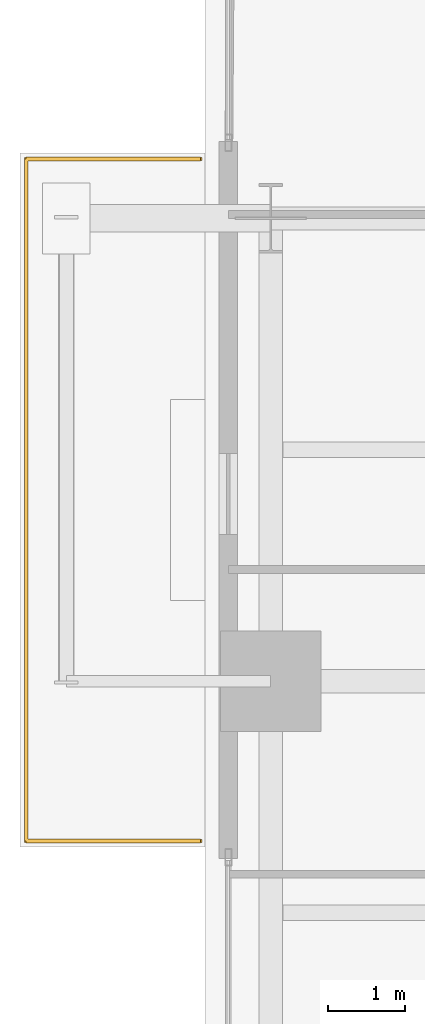
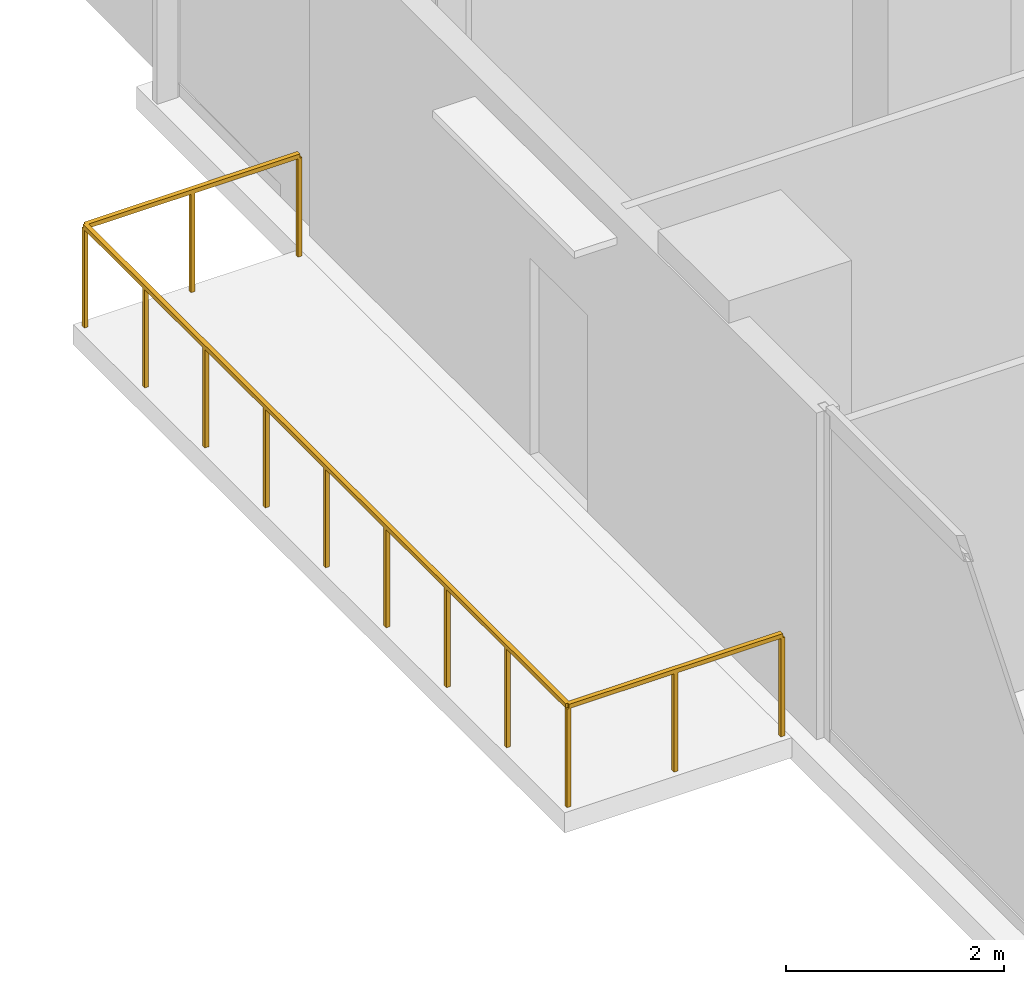
# One storey, part 27 of 27: 1 railing.
"""IFC4 building model written with IfcOpenShell, lengths in metres."""

import ifcopenshell
import ifcopenshell.guid

model = None  # the IFC model being written
_history = None  # IfcOwnerHistory: only IFC2X3 demands one
_inside = {}  # id of a spatial element -> (the spatial element, [elements in it])
_under = {}  # id of a project, library or spatial element -> (it, [spatial elements below it])
_declared = {}  # id of a project -> (the project, [libraries it declares])
_typed = {}  # id of a type object -> (the type object, [elements of that type])
_made_of = {}  # id of a material, layer set ... -> (it, [elements and type objects made of it])


def new_model(schema):
    """Start an empty IFC model of exactly this schema.

    Asked for "IFC4X3", IfcOpenShell would pick the latest addendum, in which some entities
    have other attributes; the version numbers below select the first issue.
    IFC2X3 requires an IfcOwnerHistory on every rooted entity: one is made here for all.
    """
    global model, _history
    if schema == "IFC4X3":
        model = ifcopenshell.file(schema_version=(4, 3, 0, 0))
    else:
        model = ifcopenshell.file(schema=schema)
    _inside.clear()
    _under.clear()
    _declared.clear()
    _typed.clear()
    _made_of.clear()
    _history = None
    if model.schema == "IFC2X3":
        org = make("IfcOrganization", Name="unknown")
        user = make(
            "IfcPersonAndOrganization",
            ThePerson=make("IfcPerson", FamilyName="unknown"),
            TheOrganization=org,
        )
        app = make(
            "IfcApplication",
            ApplicationDeveloper=org,
            Version="unknown",
            ApplicationFullName="unknown",
            ApplicationIdentifier="unknown",
        )
        _history = make(
            "IfcOwnerHistory",
            OwningUser=user,
            OwningApplication=app,
            ChangeAction="ADDED",
            CreationDate=0,
        )
    return model


def make(cls, **values):
    """One entity of the class cls with the attributes given. An attribute that is None is left unset."""
    return model.create_entity(
        cls, **{name: value for name, value in values.items() if value is not None}
    )


def rooted(cls, **values):
    """An entity with a GlobalId (a new one), such as an element, a storey or a relation."""
    return make(cls, GlobalId=ifcopenshell.guid.new(), OwnerHistory=_history, **values)


def si_unit(unit_type, name, prefix=None):
    """IfcSIUnit, for example si_unit("LENGTHUNIT", "METRE", prefix="MILLI")."""
    return make("IfcSIUnit", UnitType=unit_type, Prefix=prefix, Name=name)


def assignment(units):
    """IfcUnitAssignment: the units of a project."""
    return None if units is None else make("IfcUnitAssignment", Units=units)


def point(xyz):
    """IfcCartesianPoint."""
    return None if xyz is None else make("IfcCartesianPoint", Coordinates=xyz)


def direction(xyz):
    """IfcDirection."""
    return None if xyz is None else make("IfcDirection", DirectionRatios=xyz)


def frame(location, z_axis=None, x_axis=None):
    """IfcAxis2Placement3D, a coordinate frame: its origin and axes. An axis left out is left unset."""
    return make(
        "IfcAxis2Placement3D",
        Location=point(location),
        Axis=direction(z_axis),
        RefDirection=direction(x_axis),
    )


def frame_2d(location, x_axis=None):
    """IfcAxis2Placement2D, a coordinate frame in the plane: its origin and x axis."""
    return make(
        "IfcAxis2Placement2D", Location=point(location), RefDirection=direction(x_axis)
    )


def origin():
    """The frame at (0, 0, 0) with its axes left unset."""
    return frame((0.0, 0.0, 0.0))


def origin_2d():
    """The frame at (0, 0) in the plane with its x axis left unset."""
    return frame_2d((0.0, 0.0))


def place(relative_to, where):
    """IfcLocalPlacement: puts the frame where relative to a parent placement (None: the world)."""
    return make(
        "IfcLocalPlacement", PlacementRelTo=relative_to, RelativePlacement=where
    )


def context(
    kind, dimensions, precision=None, world=None, true_north=None, identifier=None
):
    """IfcGeometricRepresentationContext, for example the 3D "Model" context."""
    return make(
        "IfcGeometricRepresentationContext",
        ContextIdentifier=identifier,
        ContextType=kind,
        CoordinateSpaceDimension=dimensions,
        Precision=precision,
        WorldCoordinateSystem=world,
        TrueNorth=true_north,
    )


def subcontext(parent, identifier, kind, view, scale=None):
    """IfcGeometricRepresentationSubContext, for example "Body" below "Model"."""
    return make(
        "IfcGeometricRepresentationSubContext",
        ContextIdentifier=identifier,
        ContextType=kind,
        ParentContext=parent,
        TargetScale=scale,
        TargetView=view,
    )


def project(units=None, contexts=None):
    """IfcProject with its units and contexts."""
    return rooted(
        "IfcProject",
        Name="project",
        RepresentationContexts=contexts,
        UnitsInContext=assignment(units),
    )


def spatial(cls, under=None, at=None, **own):
    """A site, building, storey or space (cls), placed at a placement, below another one or the project."""
    s = rooted(cls, ObjectPlacement=at, **own)
    if under is not None:
        _under.setdefault(under.id(), (under, []))[1].append(s)
    return s


def profile(cls, at=None, kind="AREA", **sizes):
    """A parametric profile (cls). Its sizes go by their IFC names, for example OverallWidth=200.0."""
    return make(cls, ProfileType=kind, Position=at, **sizes)


def rectangle(**sizes):
    """IfcRectangleProfileDef."""
    return profile("IfcRectangleProfileDef", **sizes)


def extrude(swept, where, along, depth):
    """IfcExtrudedAreaSolid: the profile swept, set in the frame where, extruded along a direction by depth."""
    return make(
        "IfcExtrudedAreaSolid",
        SweptArea=swept,
        Position=where,
        ExtrudedDirection=direction(along),
        Depth=depth,
    )


def shape(context_of_items, identifier, shape_type, items):
    """IfcShapeRepresentation: the items that make up one representation, for example the "Body"."""
    return make(
        "IfcShapeRepresentation",
        ContextOfItems=context_of_items,
        RepresentationIdentifier=identifier,
        RepresentationType=shape_type,
        Items=items,
    )


def material(Name=None, Category=None):
    """IfcMaterial."""
    return make("IfcMaterial", Name=Name, Category=Category)


def made_of(thing, what):
    """Note that an element or type object is made of a material, layer set ...; save() writes the relation."""
    if what is not None:
        _made_of.setdefault(what.id(), (what, []))[1].append(thing)
    return thing


def type_object(cls, material=None, **own):
    """A type object (cls), such as IfcWallType, which elements share."""
    return made_of(rooted(cls, **own), material)


def element(
    cls,
    number,
    at=None,
    inside=None,
    cuts=None,
    type_object=None,
    material=None,
    context=None,
    identifier="Body",
    shape_type=None,
    held_by="IfcProductDefinitionShape",
    body=None,
    shapes=None,
    **own,
):
    """One element of the class cls, such as IfcWall. Its Tag is "e" and its number.

    at: its placement. inside: the storey or other place that contains it. cuts: it is an
    opening in that element (IfcRelVoidsElement). A single representation is given by context,
    identifier, shape_type and body (its items); several are given by shapes. held_by: the class
    of the entity that holds the representations. save() writes the other relations.
    """
    e = rooted(cls, Tag="e%d" % number, ObjectPlacement=at, **own)
    if body is not None:
        shapes = [shape(context, identifier, shape_type, body)]
    if shapes is not None:
        e.Representation = make(held_by, Representations=shapes)
    if inside is not None:
        _inside.setdefault(inside.id(), (inside, []))[1].append(e)
    if cuts is not None:
        rooted(
            "IfcRelVoidsElement", RelatingBuildingElement=cuts, RelatedOpeningElement=e
        )
    if type_object is not None:
        _typed.setdefault(type_object.id(), (type_object, []))[1].append(e)
    return made_of(e, material)


def aggregate(whole, parts):
    """IfcRelAggregates: a whole, such as a stair, and the parts it consists of."""
    return rooted("IfcRelAggregates", RelatingObject=whole, RelatedObjects=parts)


def save(model, path):
    """Write the relations noted so far, then the file.

    IfcRelAggregates (storeys below a building ...), IfcRelContainedInSpatialStructure (elements
    in a storey), IfcRelDefinesByType, IfcRelAssociatesMaterial and IfcRelDeclares: one each for
    every whole, place, type object, material and project.
    """
    for whole, parts in _under.values():
        aggregate(whole, parts)
    for where, things in _inside.values():
        rooted(
            "IfcRelContainedInSpatialStructure",
            RelatedElements=things,
            RelatingStructure=where,
        )
    for kind, things in _typed.values():
        rooted("IfcRelDefinesByType", RelatedObjects=things, RelatingType=kind)
    for what, things in _made_of.values():
        rooted("IfcRelAssociatesMaterial", RelatedObjects=things, RelatingMaterial=what)
    for by, libraries in _declared.values():
        rooted("IfcRelDeclares", RelatingContext=by, RelatedDefinitions=libraries)
    model.write(path)


model = new_model("IFC4")

# Units and contexts
model_context = context("Model", 3, precision=1e-05, world=origin(), true_north=direction((0.0, 1.0)))
body_context = subcontext(model_context, "Body", "Model", "MODEL_VIEW")
ifc_project = project(units=[si_unit("LENGTHUNIT", "METRE"), si_unit("AREAUNIT", "SQUARE_METRE"), si_unit("VOLUMEUNIT", "CUBIC_METRE"), si_unit("PLANEANGLEUNIT", "RADIAN"), si_unit("MASSUNIT", "GRAM", prefix="KILO"), si_unit("THERMODYNAMICTEMPERATUREUNIT", "KELVIN"), si_unit("POWERUNIT", "WATT")], contexts=[model_context])

# Site, building, storey
site_placement = place(None, origin())
site = spatial("IfcSite", under=ifc_project, at=site_placement, CompositionType="ELEMENT")
building_placement = place(site_placement, origin())
building = spatial("IfcBuilding", under=site, at=building_placement, Name="Svarakhadi Broadcast Tower", CompositionType="ELEMENT")
storey_placement = place(building_placement, frame((0.0, 0.0, 87.0)))
storey = spatial("IfcBuildingStorey", under=building, at=storey_placement, Name="L20", CompositionType="ELEMENT", Elevation=87.0)

# Railing
ifc_material = material(Name="Laminated Structural SentryGlas Balustrade 25.5 mm", Category="glass")
railing_type = type_object("IfcRailingType", Name="Guard_Balcony_GR01", PredefinedType="BALUSTRADE", material=ifc_material)
railing_placement = place(storey_placement, frame((-0.06005859375, 33.080078125, 0.0)))
element("IfcRailing", 1, at=railing_placement, inside=storey, type_object=railing_type, Name="L20 West Tree Balcony Guard GR-05", PredefinedType="BALUSTRADE", context=body_context, shape_type="SweptSolid", body=[
    extrude(rectangle(XDim=0.048095703125, YDim=0.048095703125, at=origin_2d()), frame((0.0, 0.0, 1.1259765625), z_axis=(-1.0, 0.0, 0.0), x_axis=(0.0, -1.0, 0.0)), (0.0, 0.0, 1.0), 2.260009765625),
    extrude(rectangle(XDim=0.048095703125, YDim=0.048095703125, at=origin_2d()), frame((-2.260009765625, 0.0, 1.1259765625), z_axis=(0.0, 1.0, 0.0), x_axis=(-1.0, 0.0, 0.0)), (0.0, 0.0, 1.0), 8.83984375),
    extrude(rectangle(XDim=0.048095703125, YDim=0.048095703125, at=origin_2d()), frame((-2.260009765625, 8.83984375, 1.1259765625), z_axis=(1.0, 0.0, 0.0), x_axis=(0.0, 1.0, 0.0)), (0.0, 0.0, 1.0), 2.260009765625),
    extrude(rectangle(XDim=0.0419921875, YDim=0.0419921875, at=origin_2d()), origin(), (0.0, 0.0, 1.0), 1.101806640625),
    extrude(rectangle(XDim=0.0419921875, YDim=0.0419921875, at=origin_2d()), frame((-1.1298828125, 0.0, 0.0)), (0.0, 0.0, 1.0), 1.101806640625),
    extrude(rectangle(XDim=0.0419921875, YDim=0.0419921875, at=origin_2d()), frame((-2.260009765625, 0.0, 0.0)), (0.0, 0.0, 1.0), 1.101806640625),
    extrude(rectangle(XDim=0.0419921875, YDim=0.0419921875, at=origin_2d()), frame((-2.260009765625, 1.10498046875, 0.0)), (0.0, 0.0, 1.0), 1.101806640625),
    extrude(rectangle(XDim=0.0419921875, YDim=0.0419921875, at=origin_2d()), frame((-2.260009765625, 2.2099609375, 0.0)), (0.0, 0.0, 1.0), 1.101806640625),
    extrude(rectangle(XDim=0.0419921875, YDim=0.0419921875, at=origin_2d()), frame((-2.260009765625, 3.31494140625, 0.0)), (0.0, 0.0, 1.0), 1.101806640625),
    extrude(rectangle(XDim=0.0419921875, YDim=0.0419921875, at=origin_2d()), frame((-2.260009765625, 4.419921875, 0.0)), (0.0, 0.0, 1.0), 1.101806640625),
    extrude(rectangle(XDim=0.0419921875, YDim=0.0419921875, at=origin_2d()), frame((-2.260009765625, 5.52490234375, 0.0)), (0.0, 0.0, 1.0), 1.101806640625),
    extrude(rectangle(XDim=0.0419921875, YDim=0.0419921875, at=origin_2d()), frame((-2.260009765625, 6.6298828125, 0.0)), (0.0, 0.0, 1.0), 1.101806640625),
    extrude(rectangle(XDim=0.0419921875, YDim=0.0419921875, at=origin_2d()), frame((-2.260009765625, 7.73486328125, 0.0)), (0.0, 0.0, 1.0), 1.101806640625),
    extrude(rectangle(XDim=0.0419921875, YDim=0.0419921875, at=origin_2d()), frame((-2.260009765625, 8.83984375, 0.0)), (0.0, 0.0, 1.0), 1.101806640625),
    extrude(rectangle(XDim=0.0419921875, YDim=0.0419921875, at=origin_2d()), frame((-1.1298828125, 8.83984375, 0.0)), (0.0, 0.0, 1.0), 1.101806640625),
    extrude(rectangle(XDim=0.0419921875, YDim=0.0419921875, at=origin_2d()), frame((0.0, 8.83984375, 0.0)), (0.0, 0.0, 1.0), 1.101806640625),
])

save(model, "model.ifc")
